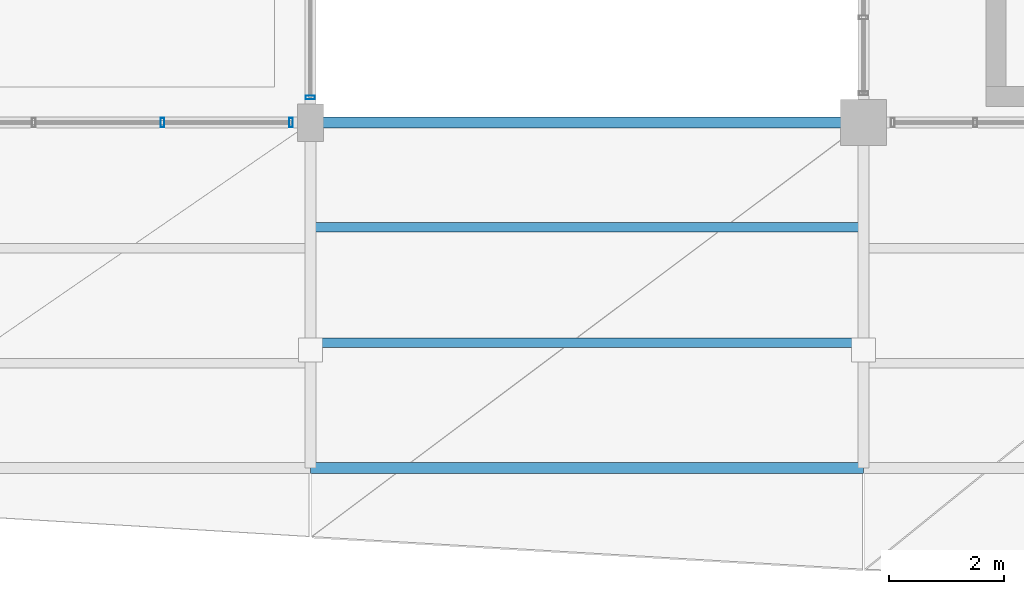
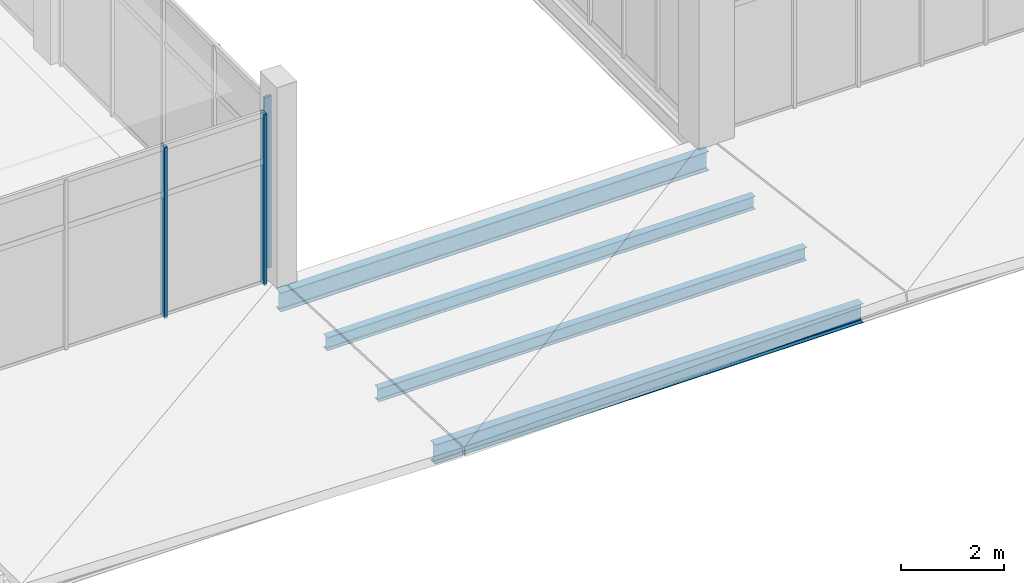
# One storey, part 25 of 157: 4 beams, 3 members, 2 elements without a shape of their own.
"""IFC4 building model written with IfcOpenShell, lengths in metres."""

from ifc_helpers import new_model, si_unit, direction, frame, origin, origin_2d, place, context, subcontext, project, spatial, hollow_rectangle, i_section, extrude, material, layer, layer_set, material_profile, profile_set, type_object, element, aggregate, save


model = new_model("IFC4")

# Units and contexts
model_context = context("Model", 3, precision=1e-05, world=origin(), true_north=direction((0.0, 1.0)))
body_context = subcontext(model_context, "Body", "Model", "MODEL_VIEW")
ifc_project = project(units=[si_unit("LENGTHUNIT", "METRE"), si_unit("AREAUNIT", "SQUARE_METRE"), si_unit("VOLUMEUNIT", "CUBIC_METRE"), si_unit("PLANEANGLEUNIT", "RADIAN"), si_unit("MASSUNIT", "GRAM", prefix="KILO")], contexts=[model_context])

# Site, building, storey
site_placement = place(None, origin())
site = spatial("IfcSite", under=ifc_project, at=site_placement, CompositionType="ELEMENT")
building_placement = place(site_placement, origin())
building = spatial("IfcBuilding", under=site, at=building_placement, Name="Chalmorin Arch Market", CompositionType="ELEMENT")
storey_placement = place(building_placement, frame((0.0, 0.0, 4.800048828125)))
storey = spatial("IfcBuildingStorey", under=building, at=storey_placement, Name="L01", CompositionType="ELEMENT", Elevation=4.800048828125)

# Curtain wall, members
ifc_material_1 = material(Name="Aluminium 6063-T6", Category="aluminium")
ifc_layer_1 = layer(ifc_material_1, 0.159912109375)
ifc_layer_set_1 = layer_set([ifc_layer_1], Name="Aluminium 6063-T6")
curtain_wall_type_1 = type_object("IfcCurtainWallType", Name="RiverfrontStorefrontCurtainWall-CW2-8930x4070", PredefinedType="NOTDEFINED", material=ifc_layer_set_1)
curtain_wall_1_placement = place(storey_placement, origin())
curtain_wall_1 = element("IfcCurtainWall", 1, at=curtain_wall_1_placement, inside=storey, type_object=curtain_wall_type_1, Name="CW-02-097", PredefinedType="NOTDEFINED")
ifc_material_profile_1 = material_profile(ifc_material_1, hollow_rectangle(XDim=0.06494140625, YDim=0.159912109375, WallThickness=0.00390625, at=origin_2d()), Name="ALU65X160X4")
ifc_profile_set_1 = profile_set([ifc_material_profile_1], Name="Aluminium 6063-T6")
member_type = type_object("IfcMemberType", Name="CurtainWallMullion-65x160", PredefinedType="MULLION", material=ifc_profile_set_1)
member_1_placement = place(storey_placement, frame((35.83251953125, 6.0, 0.0), z_axis=(0.0, 0.0, 1.0), x_axis=(1.0, 0.0, 0.0)))
member_1 = element("IfcMember", 2, at=member_1_placement, type_object=member_type, Name="ML-097-04", PredefinedType="MULLION", context=body_context, shape_type="SweptSolid", body=[
    extrude(hollow_rectangle(XDim=0.06494140625, YDim=0.159912109375, WallThickness=0.00390625, at=origin_2d()), origin(), (0.0, 0.0, 1.0), 4.06591796875),
])
member_2_placement = place(storey_placement, frame((38.06494140625, 6.0, 0.0), z_axis=(0.0, 0.0, 1.0), x_axis=(1.0, 0.0, 0.0)))
member_2 = element("IfcMember", 3, at=member_2_placement, type_object=member_type, Name="ML-097-05", PredefinedType="MULLION", context=body_context, shape_type="SweptSolid", body=[
    extrude(hollow_rectangle(XDim=0.06494140625, YDim=0.159912109375, WallThickness=0.00390625, at=origin_2d()), origin(), (0.0, 0.0, 1.0), 4.06591796875),
])
aggregate(curtain_wall_1, [member_1, member_2])

# Curtain wall, member
ifc_layer_2 = layer(ifc_material_1, 0.159912109375)
ifc_layer_set_2 = layer_set([ifc_layer_2], Name="Aluminium 6063-T6")
curtain_wall_type_2 = type_object("IfcCurtainWallType", Name="RiverfrontStorefrontCurtainWall-CW2-7930x4070", PredefinedType="NOTDEFINED", material=ifc_layer_set_2)
curtain_wall_2_placement = place(storey_placement, origin())
curtain_wall_2 = element("IfcCurtainWall", 4, at=curtain_wall_2_placement, inside=storey, type_object=curtain_wall_type_2, Name="CW-02-098", PredefinedType="NOTDEFINED")
member_3_placement = place(storey_placement, frame((38.39990234375, 6.43505859375, 0.0), z_axis=(0.0, 0.0, 1.0), x_axis=(0.0, 1.0, 0.0)))
member_3 = element("IfcMember", 5, at=member_3_placement, type_object=member_type, Name="ML-098-01", PredefinedType="MULLION", context=body_context, shape_type="SweptSolid", body=[
    extrude(hollow_rectangle(XDim=0.06494140625, YDim=0.159912109375, WallThickness=0.00390625, at=origin_2d()), origin(), (0.0, 0.0, 1.0), 4.06591796875),
])
aggregate(curtain_wall_2, [member_3])

# Beams
ifc_material_2 = material(Name="Steel A992 Grade 50", Category="steel")
ifc_material_profile_2 = material_profile(ifc_material_2, i_section(OverallWidth=0.19091796875, OverallDepth=0.45703125, WebThickness=0.009033203125, FlangeThickness=0.014404296875, FilletRadius=0.02001953125, at=origin_2d()), Name="W18X50")
ifc_profile_set_2 = profile_set([ifc_material_profile_2], Name="Steel A992 Grade 50")
beam_type_1 = type_object("IfcBeamType", Name="PerimeterSpandrelBeam-W18X50", PredefinedType="SPANDREL", material=ifc_profile_set_2)
for number, where, z_axis, x_axis, name in (
    (6, (38.39990234375, 0.0, -0.48046875), (1.0, 0.0, 0.0), (0.0, 1.0, 0.0), "SP-W18-1033"),
    (7, (38.39990234375, 6.0, -0.510498046875), (1.0, 0.0, 0.0), (0.0, 1.0, 0.0), "SP-W18-1034"),
):
    element("IfcBeam", number, at=place(storey_placement, frame(where, z_axis=z_axis, x_axis=x_axis)), inside=storey, type_object=beam_type_1, Name=name, PredefinedType="SPANDREL", context=body_context, shape_type="SweptSolid", body=[
        extrude(i_section(OverallWidth=0.19091796875, OverallDepth=0.45703125, WebThickness=0.009033203125, FlangeThickness=0.014404296875, FilletRadius=0.02001953125, at=origin_2d()), origin(), (0.0, 0.0, 1.0), 9.60009765625),
    ])
ifc_material_profile_3 = material_profile(ifc_material_2, i_section(OverallWidth=0.1650390625, OverallDepth=0.31005859375, WebThickness=0.005859375, FlangeThickness=0.009765625, FilletRadius=0.014892578125, at=origin_2d()), Name="W12X26")
ifc_profile_set_3 = profile_set([ifc_material_profile_3], Name="Steel A992 Grade 50")
beam_type_2 = type_object("IfcBeamType", Name="SecondaryRoofJoist-W12X26", PredefinedType="JOIST", material=ifc_profile_set_3)
for number, where, z_axis, x_axis, name in (
    (8, (38.39990234375, 2.179931640625, -0.406982421875), (1.0, 0.0, 0.0), (0.0, 1.0, 0.0), "BJ-W12-1060"),
    (9, (38.39990234375, 4.179931640625, -0.406982421875), (1.0, 0.0, 0.0), (0.0, 1.0, 0.0), "BJ-W12-1061"),
):
    element("IfcBeam", number, at=place(storey_placement, frame(where, z_axis=z_axis, x_axis=x_axis)), inside=storey, type_object=beam_type_2, Name=name, PredefinedType="JOIST", context=body_context, shape_type="SweptSolid", body=[
        extrude(i_section(OverallWidth=0.1650390625, OverallDepth=0.31005859375, WebThickness=0.005859375, FlangeThickness=0.009765625, FilletRadius=0.014892578125, at=origin_2d()), origin(), (0.0, 0.0, 1.0), 9.60009765625),
    ])

save(model, "model.ifc")
